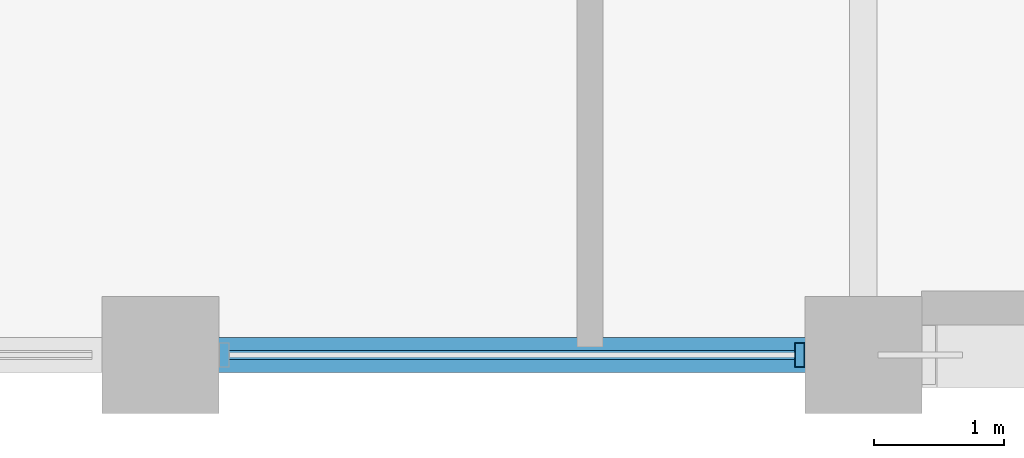
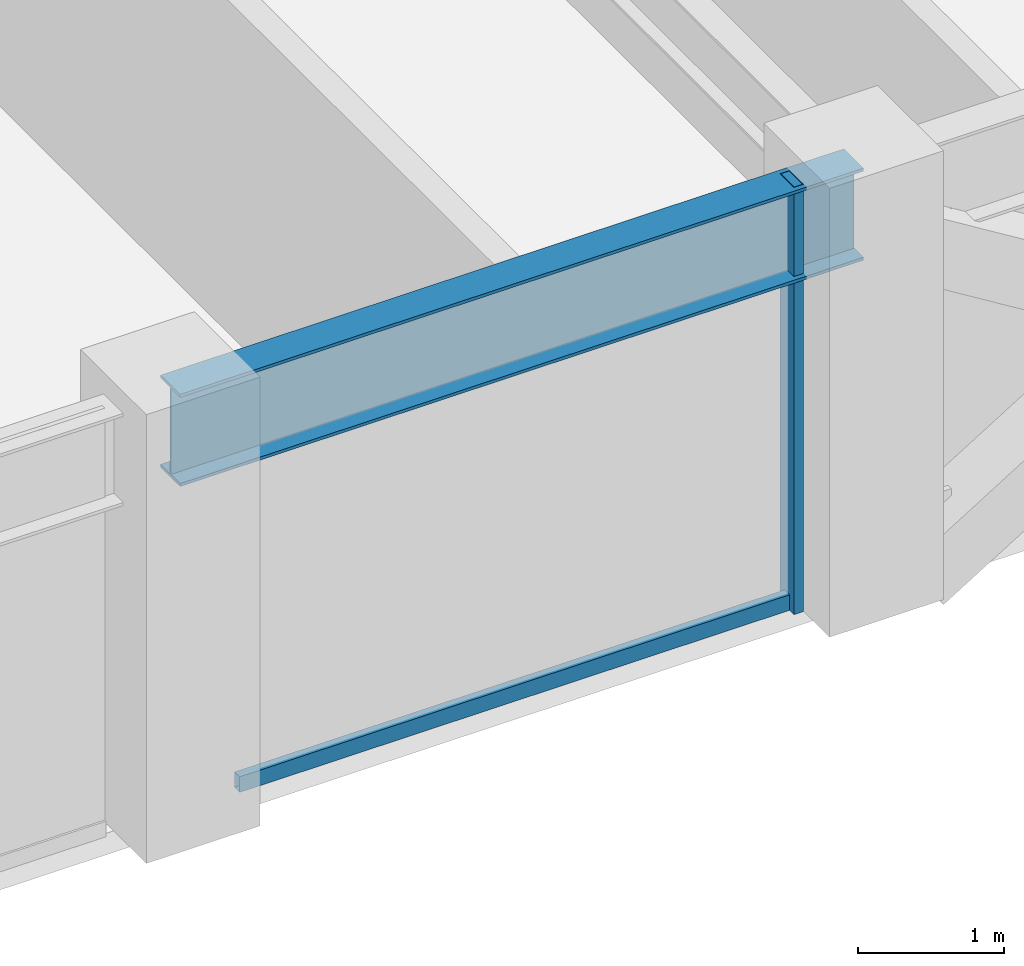
# One storey, part 3 of 32: 2 members, 1 beam, 1 element without a shape of its own.
"""IFC4 building model written with IfcOpenShell, lengths in metres."""

from ifc_helpers import new_model, si_unit, direction, frame, origin, origin_2d, place, context, subcontext, project, spatial, hollow_rectangle, i_section, extrude, material, layer, layer_set, material_profile, profile_set, type_object, element, aggregate, save


model = new_model("IFC4")

# Units and contexts
model_context = context("Model", 3, precision=1e-05, world=origin(), true_north=direction((0.0, 1.0)))
body_context = subcontext(model_context, "Body", "Model", "MODEL_VIEW")
ifc_project = project(units=[si_unit("LENGTHUNIT", "METRE"), si_unit("AREAUNIT", "SQUARE_METRE"), si_unit("VOLUMEUNIT", "CUBIC_METRE"), si_unit("PLANEANGLEUNIT", "RADIAN"), si_unit("MASSUNIT", "GRAM", prefix="KILO")], contexts=[model_context])

# Site, building, storey
site_placement = place(None, origin())
site = spatial("IfcSite", under=ifc_project, at=site_placement, CompositionType="ELEMENT")
building_placement = place(site_placement, origin())
building = spatial("IfcBuilding", under=site, at=building_placement, Name="Surkhivell Harbour Commons", CompositionType="ELEMENT")
storey_placement = place(building_placement, frame((0.0, 0.0, 204.75)))
storey = spatial("IfcBuildingStorey", under=building, at=storey_placement, Name="L53", CompositionType="ELEMENT", Elevation=204.75)

# Beam
ifc_material_1 = material(Name="Steel S355", Category="steel")
ifc_material_profile_1 = material_profile(ifc_material_1, i_section(OverallWidth=0.26806640625, OverallDepth=0.77001953125, WebThickness=0.015625, FlangeThickness=0.025390625, at=origin_2d()), Name="UB762x267x197")
ifc_profile_set_1 = profile_set([ifc_material_profile_1], Name="Steel S355")
beam_type = type_object("IfcBeamType", Name="BM-SPN-762", PredefinedType="SPANDREL", material=ifc_profile_set_1)
beam_placement = place(storey_placement, frame((-16.199951171875, -21.60009765625, 3.18505859375), z_axis=(1.0, 0.0, 0.0), x_axis=(0.0, 1.0, 0.0)))
element("IfcBeam", 1, at=beam_placement, inside=storey, type_object=beam_type, Name="L53 Tube Spandrel (-16.2,-21.6)", PredefinedType="SPANDREL", context=body_context, shape_type="SweptSolid", body=[
    extrude(i_section(OverallWidth=0.26806640625, OverallDepth=0.77001953125, WebThickness=0.015625, FlangeThickness=0.025390625, at=origin_2d()), origin(), (0.0, 0.0, 1.0), 5.39990234375),
])

# Curtain wall, members
ifc_material_2 = material(Name="Anodised pale-metal aluminium and insulated glazing", Category="aluminium")
ifc_layer = layer(ifc_material_2, 0.18994140625)
ifc_layer_set = layer_set([ifc_layer], Name="Anodised pale-metal aluminium and insulated glazing")
curtain_wall_type = type_object("IfcCurtainWallType", Name="CW-SYS-Z3", PredefinedType="NOTDEFINED", material=ifc_layer_set)
curtain_wall_placement = place(storey_placement, origin())
curtain_wall = element("IfcCurtainWall", 2, at=curtain_wall_placement, inside=storey, type_object=curtain_wall_type, Name="L53 Curtain Wall CW-L53-E00S1", PredefinedType="NOTDEFINED")
ifc_material_3 = material(Name="Anodised pale-metal aluminium alloy 6063-T6", Category="aluminium")
ifc_material_profile_2 = material_profile(ifc_material_3, hollow_rectangle(XDim=0.074951171875, YDim=0.18994140625, WallThickness=0.00390625, at=origin_2d()), Name="ALU-MULL-75x190")
ifc_profile_set_2 = profile_set([ifc_material_profile_2], Name="Anodised pale-metal aluminium alloy 6063-T6")
member_type_1 = type_object("IfcMemberType", Name="CWM-190", PredefinedType="MULLION", material=ifc_profile_set_2)
member_1_placement = place(storey_placement, frame((-11.28955078125, -21.60009765625, 0.0), z_axis=(0.0, 0.0, 1.0), x_axis=(1.0, 0.0, 0.0)))
member_1 = element("IfcMember", 3, at=member_1_placement, type_object=member_type_1, Name="CW-Z3 mullion 3", PredefinedType="MULLION", context=body_context, shape_type="SweptSolid", body=[
    extrude(hollow_rectangle(XDim=0.074951171875, YDim=0.18994140625, WallThickness=0.00390625, at=origin_2d()), origin(), (0.0, 0.0, 1.0), 3.570068359375),
])
ifc_material_4 = material(Name="Champagne anodised aluminium alloy 6063-T6", Category="aluminium")
ifc_material_profile_3 = material_profile(ifc_material_4, hollow_rectangle(XDim=0.070068359375, YDim=0.1298828125, WallThickness=0.00341796875, at=origin_2d()), Name="ALU-TRAN-70x130")
ifc_profile_set_3 = profile_set([ifc_material_profile_3], Name="Champagne anodised aluminium alloy 6063-T6")
member_type_2 = type_object("IfcMemberType", Name="CWT-130", PredefinedType="USERDEFINED", material=ifc_profile_set_3)
member_2_placement = place(storey_placement, frame((-15.673095703125, -21.60009765625, 0.06494140625), z_axis=(1.0, 0.0, 0.0), x_axis=(0.0, 1.0, 0.0)))
member_2 = element("IfcMember", 4, at=member_2_placement, type_object=member_type_2, Name="CW-Z3 transom 2.1", ObjectType="TRANSOM", PredefinedType="USERDEFINED", context=body_context, shape_type="SweptSolid", body=[
    extrude(hollow_rectangle(XDim=0.070068359375, YDim=0.1298828125, WallThickness=0.00341796875, at=origin_2d()), origin(), (0.0, 0.0, 1.0), 4.34619140625),
])
aggregate(curtain_wall, [member_1, member_2])

save(model, "model.ifc")
